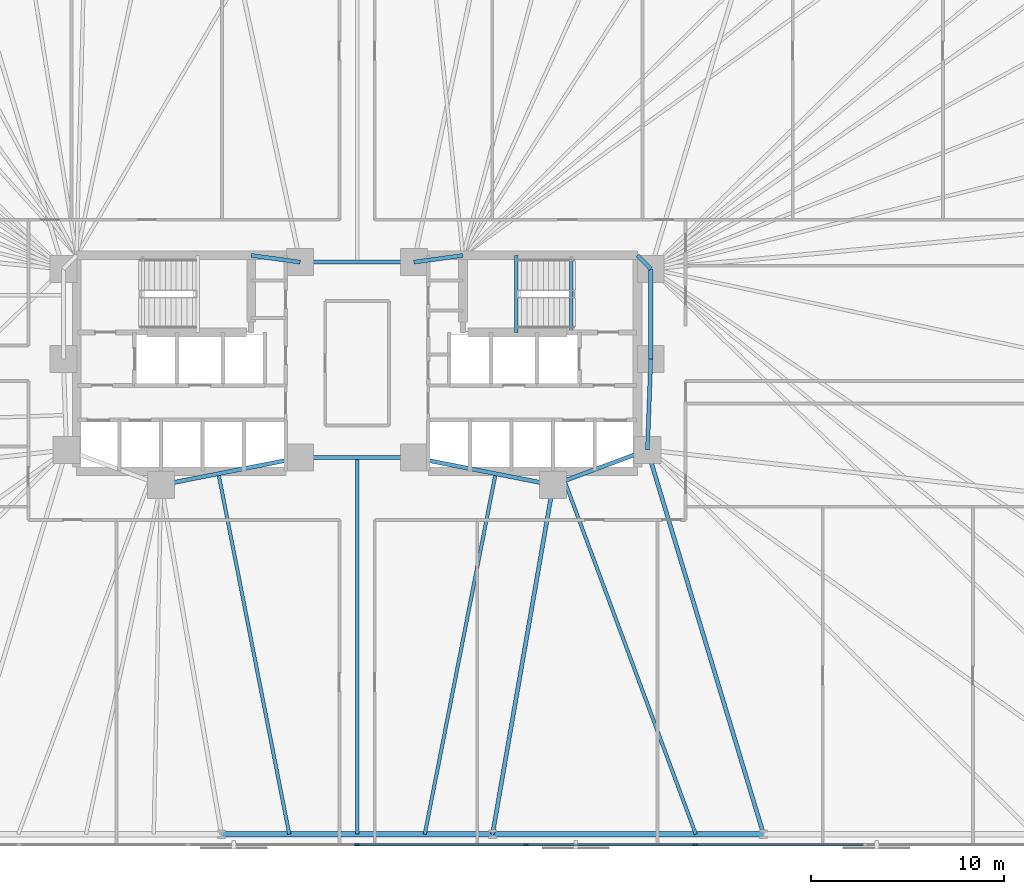
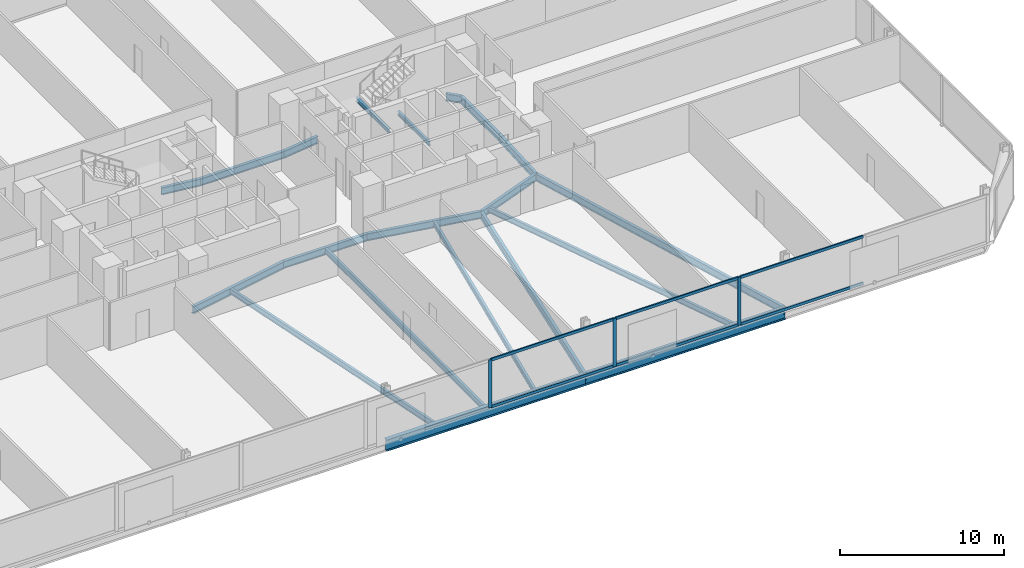
# One storey, part 7 of 17: 20 beams, 9 members, 1 element without a shape of its own.
"""IFC4 building model written with IfcOpenShell, lengths in metres."""

import ifcopenshell
import ifcopenshell.guid

model = None  # the IFC model being written
_history = None  # IfcOwnerHistory: only IFC2X3 demands one
_inside = {}  # id of a spatial element -> (the spatial element, [elements in it])
_under = {}  # id of a project, library or spatial element -> (it, [spatial elements below it])
_declared = {}  # id of a project -> (the project, [libraries it declares])
_typed = {}  # id of a type object -> (the type object, [elements of that type])
_made_of = {}  # id of a material, layer set ... -> (it, [elements and type objects made of it])


def new_model(schema):
    """Start an empty IFC model of exactly this schema.

    Asked for "IFC4X3", IfcOpenShell would pick the latest addendum, in which some entities
    have other attributes; the version numbers below select the first issue.
    IFC2X3 requires an IfcOwnerHistory on every rooted entity: one is made here for all.
    """
    global model, _history
    if schema == "IFC4X3":
        model = ifcopenshell.file(schema_version=(4, 3, 0, 0))
    else:
        model = ifcopenshell.file(schema=schema)
    _inside.clear()
    _under.clear()
    _declared.clear()
    _typed.clear()
    _made_of.clear()
    _history = None
    if model.schema == "IFC2X3":
        org = make("IfcOrganization", Name="unknown")
        user = make(
            "IfcPersonAndOrganization",
            ThePerson=make("IfcPerson", FamilyName="unknown"),
            TheOrganization=org,
        )
        app = make(
            "IfcApplication",
            ApplicationDeveloper=org,
            Version="unknown",
            ApplicationFullName="unknown",
            ApplicationIdentifier="unknown",
        )
        _history = make(
            "IfcOwnerHistory",
            OwningUser=user,
            OwningApplication=app,
            ChangeAction="ADDED",
            CreationDate=0,
        )
    return model


def make(cls, **values):
    """One entity of the class cls with the attributes given. An attribute that is None is left unset."""
    return model.create_entity(
        cls, **{name: value for name, value in values.items() if value is not None}
    )


def rooted(cls, **values):
    """An entity with a GlobalId (a new one), such as an element, a storey or a relation."""
    return make(cls, GlobalId=ifcopenshell.guid.new(), OwnerHistory=_history, **values)


def si_unit(unit_type, name, prefix=None):
    """IfcSIUnit, for example si_unit("LENGTHUNIT", "METRE", prefix="MILLI")."""
    return make("IfcSIUnit", UnitType=unit_type, Prefix=prefix, Name=name)


def assignment(units):
    """IfcUnitAssignment: the units of a project."""
    return None if units is None else make("IfcUnitAssignment", Units=units)


def point(xyz):
    """IfcCartesianPoint."""
    return None if xyz is None else make("IfcCartesianPoint", Coordinates=xyz)


def direction(xyz):
    """IfcDirection."""
    return None if xyz is None else make("IfcDirection", DirectionRatios=xyz)


def frame(location, z_axis=None, x_axis=None):
    """IfcAxis2Placement3D, a coordinate frame: its origin and axes. An axis left out is left unset."""
    return make(
        "IfcAxis2Placement3D",
        Location=point(location),
        Axis=direction(z_axis),
        RefDirection=direction(x_axis),
    )


def frame_2d(location, x_axis=None):
    """IfcAxis2Placement2D, a coordinate frame in the plane: its origin and x axis."""
    return make(
        "IfcAxis2Placement2D", Location=point(location), RefDirection=direction(x_axis)
    )


def origin():
    """The frame at (0, 0, 0) with its axes left unset."""
    return frame((0.0, 0.0, 0.0))


def origin_2d():
    """The frame at (0, 0) in the plane with its x axis left unset."""
    return frame_2d((0.0, 0.0))


def place(relative_to, where):
    """IfcLocalPlacement: puts the frame where relative to a parent placement (None: the world)."""
    return make(
        "IfcLocalPlacement", PlacementRelTo=relative_to, RelativePlacement=where
    )


def context(
    kind, dimensions, precision=None, world=None, true_north=None, identifier=None
):
    """IfcGeometricRepresentationContext, for example the 3D "Model" context."""
    return make(
        "IfcGeometricRepresentationContext",
        ContextIdentifier=identifier,
        ContextType=kind,
        CoordinateSpaceDimension=dimensions,
        Precision=precision,
        WorldCoordinateSystem=world,
        TrueNorth=true_north,
    )


def subcontext(parent, identifier, kind, view, scale=None):
    """IfcGeometricRepresentationSubContext, for example "Body" below "Model"."""
    return make(
        "IfcGeometricRepresentationSubContext",
        ContextIdentifier=identifier,
        ContextType=kind,
        ParentContext=parent,
        TargetScale=scale,
        TargetView=view,
    )


def project(units=None, contexts=None):
    """IfcProject with its units and contexts."""
    return rooted(
        "IfcProject",
        Name="project",
        RepresentationContexts=contexts,
        UnitsInContext=assignment(units),
    )


def spatial(cls, under=None, at=None, **own):
    """A site, building, storey or space (cls), placed at a placement, below another one or the project."""
    s = rooted(cls, ObjectPlacement=at, **own)
    if under is not None:
        _under.setdefault(under.id(), (under, []))[1].append(s)
    return s


def profile(cls, at=None, kind="AREA", **sizes):
    """A parametric profile (cls). Its sizes go by their IFC names, for example OverallWidth=200.0."""
    return make(cls, ProfileType=kind, Position=at, **sizes)


def rectangle(**sizes):
    """IfcRectangleProfileDef."""
    return profile("IfcRectangleProfileDef", **sizes)


def i_section(**sizes):
    """IfcIShapeProfileDef."""
    return profile("IfcIShapeProfileDef", **sizes)


def extrude(swept, where, along, depth):
    """IfcExtrudedAreaSolid: the profile swept, set in the frame where, extruded along a direction by depth."""
    return make(
        "IfcExtrudedAreaSolid",
        SweptArea=swept,
        Position=where,
        ExtrudedDirection=direction(along),
        Depth=depth,
    )


def shape(context_of_items, identifier, shape_type, items):
    """IfcShapeRepresentation: the items that make up one representation, for example the "Body"."""
    return make(
        "IfcShapeRepresentation",
        ContextOfItems=context_of_items,
        RepresentationIdentifier=identifier,
        RepresentationType=shape_type,
        Items=items,
    )


def material(Name=None, Category=None):
    """IfcMaterial."""
    return make("IfcMaterial", Name=Name, Category=Category)


def material_profile(
    of_material, cross_section, Name=None, Category=None, Priority=None
):
    """IfcMaterialProfile: a cross section and its material."""
    return make(
        "IfcMaterialProfile",
        Name=Name,
        Material=of_material,
        Profile=cross_section,
        Priority=Priority,
        Category=Category,
    )


def profile_set(profiles, Name=None, composite=None):
    """IfcMaterialProfileSet."""
    return make(
        "IfcMaterialProfileSet",
        Name=Name,
        MaterialProfiles=profiles,
        CompositeProfile=composite,
    )


def made_of(thing, what):
    """Note that an element or type object is made of a material, layer set ...; save() writes the relation."""
    if what is not None:
        _made_of.setdefault(what.id(), (what, []))[1].append(thing)
    return thing


def type_object(cls, material=None, **own):
    """A type object (cls), such as IfcWallType, which elements share."""
    return made_of(rooted(cls, **own), material)


def element(
    cls,
    number,
    at=None,
    inside=None,
    cuts=None,
    type_object=None,
    material=None,
    context=None,
    identifier="Body",
    shape_type=None,
    held_by="IfcProductDefinitionShape",
    body=None,
    shapes=None,
    **own,
):
    """One element of the class cls, such as IfcWall. Its Tag is "e" and its number.

    at: its placement. inside: the storey or other place that contains it. cuts: it is an
    opening in that element (IfcRelVoidsElement). A single representation is given by context,
    identifier, shape_type and body (its items); several are given by shapes. held_by: the class
    of the entity that holds the representations. save() writes the other relations.
    """
    e = rooted(cls, Tag="e%d" % number, ObjectPlacement=at, **own)
    if body is not None:
        shapes = [shape(context, identifier, shape_type, body)]
    if shapes is not None:
        e.Representation = make(held_by, Representations=shapes)
    if inside is not None:
        _inside.setdefault(inside.id(), (inside, []))[1].append(e)
    if cuts is not None:
        rooted(
            "IfcRelVoidsElement", RelatingBuildingElement=cuts, RelatedOpeningElement=e
        )
    if type_object is not None:
        _typed.setdefault(type_object.id(), (type_object, []))[1].append(e)
    return made_of(e, material)


def aggregate(whole, parts):
    """IfcRelAggregates: a whole, such as a stair, and the parts it consists of."""
    return rooted("IfcRelAggregates", RelatingObject=whole, RelatedObjects=parts)


def save(model, path):
    """Write the relations noted so far, then the file.

    IfcRelAggregates (storeys below a building ...), IfcRelContainedInSpatialStructure (elements
    in a storey), IfcRelDefinesByType, IfcRelAssociatesMaterial and IfcRelDeclares: one each for
    every whole, place, type object, material and project.
    """
    for whole, parts in _under.values():
        aggregate(whole, parts)
    for where, things in _inside.values():
        rooted(
            "IfcRelContainedInSpatialStructure",
            RelatedElements=things,
            RelatingStructure=where,
        )
    for kind, things in _typed.values():
        rooted("IfcRelDefinesByType", RelatedObjects=things, RelatingType=kind)
    for what, things in _made_of.values():
        rooted("IfcRelAssociatesMaterial", RelatedObjects=things, RelatingMaterial=what)
    for by, libraries in _declared.values():
        rooted("IfcRelDeclares", RelatingContext=by, RelatedDefinitions=libraries)
    model.write(path)


model = new_model("IFC4")

# Units and contexts
model_context = context("Model", 3, precision=1e-05, world=origin(), true_north=direction((0.0, 1.0)))
body_context = subcontext(model_context, "Body", "Model", "MODEL_VIEW")
ifc_project = project(units=[si_unit("LENGTHUNIT", "METRE"), si_unit("AREAUNIT", "SQUARE_METRE"), si_unit("VOLUMEUNIT", "CUBIC_METRE"), si_unit("PLANEANGLEUNIT", "RADIAN"), si_unit("MASSUNIT", "GRAM", prefix="KILO")], contexts=[model_context])

# Site, building, storey
site_placement = place(None, origin())
site = spatial("IfcSite", under=ifc_project, at=site_placement, CompositionType="ELEMENT")
building_placement = place(site_placement, origin())
building = spatial("IfcBuilding", under=site, at=building_placement, Name="Menara Jurai Vektor", CompositionType="ELEMENT")
storey_placement = place(building_placement, frame((0.0, 0.0, 63.60009765625)))
storey = spatial("IfcBuildingStorey", under=building, at=storey_placement, Name="L15", CompositionType="ELEMENT", Elevation=63.60009765625)

# Curtain wall, members
ifc_material_1 = material(Name="Anodised Pale Aluminium & Low-E Double Glazing", Category="aluminium")
curtain_wall_type = type_object("IfcCurtainWallType", Name="CW-BLK1", PredefinedType="NOTDEFINED", material=ifc_material_1)
curtain_wall_placement = place(storey_placement, origin())
curtain_wall = element("IfcCurtainWall", 1, at=curtain_wall_placement, inside=storey, type_object=curtain_wall_type, Name="Unitised Curtain Wall L15 F01", PredefinedType="NOTDEFINED")
ifc_material_2 = material(Name="Anodised Pale Aluminium Mullion", Category="aluminium")
ifc_material_profile_1 = material_profile(ifc_material_2, rectangle(XDim=0.094970703125, YDim=0.239990234375, at=origin_2d()), Name="ALU MUL 95x240")
ifc_profile_set_1 = profile_set([ifc_material_profile_1], Name="Anodised Pale Aluminium Mullion")
member_type_1 = type_object("IfcMemberType", Name="CW-BLK1-MUL", PredefinedType="MULLION", material=ifc_profile_set_1)
member_1_placement = place(storey_placement, frame((0.0, -25.0, 0.0), z_axis=(0.0, 0.0, 1.0), x_axis=(0.0, 1.0, 0.0)))
member_1 = element("IfcMember", 2, at=member_1_placement, type_object=member_type_1, Name="CW-01 mullion 5", PredefinedType="MULLION", context=body_context, shape_type="SweptSolid", body=[
    extrude(rectangle(XDim=0.094970703125, YDim=0.239990234375, at=origin_2d()), origin(), (0.0, 0.0, 1.0), 3.574951171875),
])
member_2_placement = place(storey_placement, frame((8.780029296875, -25.0, 0.0), z_axis=(0.0, 0.0, 1.0), x_axis=(0.0, 1.0, 0.0)))
member_2 = element("IfcMember", 3, at=member_2_placement, type_object=member_type_1, Name="CW-01 mullion 6", PredefinedType="MULLION", context=body_context, shape_type="SweptSolid", body=[
    extrude(rectangle(XDim=0.094970703125, YDim=0.239990234375, at=origin_2d()), origin(), (0.0, 0.0, 1.0), 3.574951171875),
])
member_3_placement = place(storey_placement, frame((17.56005859375, -25.0, 0.0), z_axis=(0.0, 0.0, 1.0), x_axis=(0.0, 1.0, 0.0)))
member_3 = element("IfcMember", 4, at=member_3_placement, type_object=member_type_1, Name="CW-01 mullion 7", PredefinedType="MULLION", context=body_context, shape_type="SweptSolid", body=[
    extrude(rectangle(XDim=0.094970703125, YDim=0.239990234375, at=origin_2d()), origin(), (0.0, 0.0, 1.0), 3.574951171875),
])
ifc_material_3 = material(Name="Anodised Pale Aluminium Transom", Category="aluminium")
ifc_material_profile_2 = material_profile(ifc_material_3, rectangle(XDim=0.094970703125, YDim=0.199951171875, at=origin_2d()), Name="ALU TRN 95x200")
ifc_profile_set_2 = profile_set([ifc_material_profile_2], Name="Anodised Pale Aluminium Transom")
member_type_2 = type_object("IfcMemberType", Name="CW-BLK1-TRN", PredefinedType="USERDEFINED", material=ifc_profile_set_2)
member_4_placement = place(storey_placement, frame((0.047607421875, -25.0, 0.04736328125), z_axis=(1.0, 0.0, 0.0), x_axis=(0.0, 1.0, 0.0)))
member_4 = element("IfcMember", 5, at=member_4_placement, type_object=member_type_2, Name="CW-01 transom 5.1", ObjectType="TRANSOM", PredefinedType="USERDEFINED", context=body_context, shape_type="SweptSolid", body=[
    extrude(rectangle(XDim=0.094970703125, YDim=0.199951171875, at=origin_2d()), origin(), (0.0, 0.0, 1.0), 8.684814453125),
])
member_5_placement = place(storey_placement, frame((0.047607421875, -25.0, 3.52734375), z_axis=(1.0, 0.0, 0.0), x_axis=(0.0, 1.0, 0.0)))
member_5 = element("IfcMember", 6, at=member_5_placement, type_object=member_type_2, Name="CW-01 transom 5.2", ObjectType="TRANSOM", PredefinedType="USERDEFINED", context=body_context, shape_type="SweptSolid", body=[
    extrude(rectangle(XDim=0.094970703125, YDim=0.199951171875, at=origin_2d()), origin(), (0.0, 0.0, 1.0), 8.684814453125),
])
member_6_placement = place(storey_placement, frame((8.827392578125, -25.0, 0.04736328125), z_axis=(1.0, 0.0, 0.0), x_axis=(0.0, 1.0, 0.0)))
member_6 = element("IfcMember", 7, at=member_6_placement, type_object=member_type_2, Name="CW-01 transom 6.1", ObjectType="TRANSOM", PredefinedType="USERDEFINED", context=body_context, shape_type="SweptSolid", body=[
    extrude(rectangle(XDim=0.094970703125, YDim=0.199951171875, at=origin_2d()), origin(), (0.0, 0.0, 1.0), 8.68505859375),
])
member_7_placement = place(storey_placement, frame((8.827392578125, -25.0, 3.52734375), z_axis=(1.0, 0.0, 0.0), x_axis=(0.0, 1.0, 0.0)))
member_7 = element("IfcMember", 8, at=member_7_placement, type_object=member_type_2, Name="CW-01 transom 6.2", ObjectType="TRANSOM", PredefinedType="USERDEFINED", context=body_context, shape_type="SweptSolid", body=[
    extrude(rectangle(XDim=0.094970703125, YDim=0.199951171875, at=origin_2d()), origin(), (0.0, 0.0, 1.0), 8.68505859375),
])
member_8_placement = place(storey_placement, frame((17.607421875, -25.0, 0.04736328125), z_axis=(1.0, 0.0, 0.0), x_axis=(0.0, 1.0, 0.0)))
member_8 = element("IfcMember", 9, at=member_8_placement, type_object=member_type_2, Name="CW-01 transom 7.1", ObjectType="TRANSOM", PredefinedType="USERDEFINED", context=body_context, shape_type="SweptSolid", body=[
    extrude(rectangle(XDim=0.094970703125, YDim=0.199951171875, at=origin_2d()), origin(), (0.0, 0.0, 1.0), 8.68505859375),
])
member_9_placement = place(storey_placement, frame((17.607421875, -25.0, 3.52734375), z_axis=(1.0, 0.0, 0.0), x_axis=(0.0, 1.0, 0.0)))
member_9 = element("IfcMember", 10, at=member_9_placement, type_object=member_type_2, Name="CW-01 transom 7.2", ObjectType="TRANSOM", PredefinedType="USERDEFINED", context=body_context, shape_type="SweptSolid", body=[
    extrude(rectangle(XDim=0.094970703125, YDim=0.199951171875, at=origin_2d()), origin(), (0.0, 0.0, 1.0), 8.68505859375),
])
aggregate(curtain_wall, [member_1, member_2, member_3, member_4, member_5, member_6, member_7, member_8, member_9])

# Beams
ifc_material_4 = material(Name="Steel S355", Category="steel")
ifc_material_profile_3 = material_profile(ifc_material_4, i_section(OverallWidth=0.2109375, OverallDepth=0.5390625, WebThickness=0.011962890625, FlangeThickness=0.01904296875, FilletRadius=0.012939453125, at=origin_2d()), Name="UKB 533x210x109")
ifc_profile_set_3 = profile_set([ifc_material_profile_3], Name="Steel S355")
beam_type_1 = type_object("IfcBeamType", Name="STR-BM-533", PredefinedType="BEAM", material=ifc_profile_set_3)
beam_1_placement = place(storey_placement, frame((-5.5, 5.60009765625, -0.49462890625), z_axis=(0.990706818608, -0.136014703483, 0.0), x_axis=(0.136014703483, 0.990706818608, 0.0)))
element("IfcBeam", 11, at=beam_1_placement, inside=storey, type_object=beam_type_1, Name="Core Ring Header Girder L15-CHW-N2", PredefinedType="BEAM", context=body_context, shape_type="SweptSolid", body=[
    extrude(i_section(OverallWidth=0.2109375, OverallDepth=0.5390625, WebThickness=0.011962890625, FlangeThickness=0.01904296875, FilletRadius=0.012939453125, at=origin_2d()), origin(), (0.0, 0.0, 1.0), 2.573974609375),
])
beam_2_placement = place(storey_placement, frame((-10.179931640625, -6.320068359375, -0.49462890625), z_axis=(0.981249044334, 0.192744164614, 0.0), x_axis=(-0.192744164614, 0.981249044334, 0.0)))
element("IfcBeam", 12, at=beam_2_placement, inside=storey, type_object=beam_type_1, Name="Core Ring Header Girder L15-CHW-S2", PredefinedType="BEAM", context=body_context, shape_type="SweptSolid", body=[
    extrude(i_section(OverallWidth=0.2109375, OverallDepth=0.5390625, WebThickness=0.011962890625, FlangeThickness=0.01904296875, FilletRadius=0.012939453125, at=origin_2d()), origin(), (0.0, 0.0, 1.0), 7.3681640625),
])
beam_3_placement = place(storey_placement, frame((2.949951171875, 5.25, -0.49462890625), z_axis=(0.990706818608, 0.136014703483, 0.0), x_axis=(-0.136014703483, 0.990706818608, 0.0)))
element("IfcBeam", 13, at=beam_3_placement, inside=storey, type_object=beam_type_1, Name="Core Ring Header Girder L15-CHE-N1", PredefinedType="BEAM", context=body_context, shape_type="SweptSolid", body=[
    extrude(i_section(OverallWidth=0.2109375, OverallDepth=0.5390625, WebThickness=0.011962890625, FlangeThickness=0.01904296875, FilletRadius=0.012939453125, at=origin_2d()), origin(), (0.0, 0.0, 1.0), 2.573974609375),
])
beam_4_placement = place(storey_placement, frame((14.56005859375, 5.60009765625, -0.49462890625), z_axis=(0.701871936926, -0.712303154672, 0.0), x_axis=(0.712303154672, 0.701871936926, 0.0)))
element("IfcBeam", 14, at=beam_4_placement, inside=storey, type_object=beam_type_1, Name="Core Ring Header Girder L15-CHE-N2", PredefinedType="BEAM", context=body_context, shape_type="SweptSolid", body=[
    extrude(i_section(OverallWidth=0.2109375, OverallDepth=0.5390625, WebThickness=0.011962890625, FlangeThickness=0.01904296875, FilletRadius=0.012939453125, at=origin_2d()), origin(), (0.0, 0.0, 1.0), 0.98291015625),
])
beam_5_placement = place(storey_placement, frame((15.25, 0.219970703125, -0.49462890625), z_axis=(0.0, 1.0, 0.0), x_axis=(-1.0, 0.0, 0.0)))
element("IfcBeam", 15, at=beam_5_placement, inside=storey, type_object=beam_type_1, Name="Core Ring Header Girder L15-CHE-E1", PredefinedType="BEAM", context=body_context, shape_type="SweptSolid", body=[
    extrude(i_section(OverallWidth=0.2109375, OverallDepth=0.5390625, WebThickness=0.011962890625, FlangeThickness=0.01904296875, FilletRadius=0.012939453125, at=origin_2d()), origin(), (0.0, 0.0, 1.0), 4.679931640625),
])
beam_6_placement = place(storey_placement, frame((15.080078125, -4.5, -0.49462890625), z_axis=(0.035977314146, 0.999352606874, 0.0), x_axis=(-0.999352606874, 0.035977314146, 0.0)))
element("IfcBeam", 16, at=beam_6_placement, inside=storey, type_object=beam_type_1, Name="Core Ring Header Girder L15-CHE-E2", PredefinedType="BEAM", context=body_context, shape_type="SweptSolid", body=[
    extrude(i_section(OverallWidth=0.2109375, OverallDepth=0.5390625, WebThickness=0.011962890625, FlangeThickness=0.01904296875, FilletRadius=0.012939453125, at=origin_2d()), origin(), (0.0, 0.0, 1.0), 4.72314453125),
])
beam_7_placement = place(storey_placement, frame((10.179931640625, -6.320068359375, -0.49462890625), z_axis=(0.937424400887, 0.348188874925, 0.0), x_axis=(-0.348188874925, 0.937424400887, 0.0)))
element("IfcBeam", 17, at=beam_7_placement, inside=storey, type_object=beam_type_1, Name="Core Ring Header Girder L15-CHE-S1", PredefinedType="BEAM", context=body_context, shape_type="SweptSolid", body=[
    extrude(i_section(OverallWidth=0.2109375, OverallDepth=0.5390625, WebThickness=0.011962890625, FlangeThickness=0.01904296875, FilletRadius=0.012939453125, at=origin_2d()), origin(), (0.0, 0.0, 1.0), 5.227294921875),
])
beam_8_placement = place(storey_placement, frame((2.949951171875, -4.89990234375, -0.49462890625), z_axis=(0.981249044334, -0.192744164614, 0.0), x_axis=(0.192744164614, 0.981249044334, 0.0)))
element("IfcBeam", 18, at=beam_8_placement, inside=storey, type_object=beam_type_1, Name="Core Ring Header Girder L15-CHE-S2", PredefinedType="BEAM", context=body_context, shape_type="SweptSolid", body=[
    extrude(i_section(OverallWidth=0.2109375, OverallDepth=0.5390625, WebThickness=0.011962890625, FlangeThickness=0.01904296875, FilletRadius=0.012939453125, at=origin_2d()), origin(), (0.0, 0.0, 1.0), 7.3681640625),
])
for number, where, z_axis, x_axis, name in (
    (19, (-2.949951171875, -4.89990234375, -0.49462890625), (1.0, 0.0, 0.0), (0.0, 1.0, 0.0), "Core Ring Header Girder L15-CC-1"),
    (20, (-2.949951171875, 5.25, -0.49462890625), (1.0, 0.0, 0.0), (0.0, 1.0, 0.0), "Core Ring Header Girder L15-CC-2"),
):
    element("IfcBeam", number, at=place(storey_placement, frame(where, z_axis=z_axis, x_axis=x_axis)), inside=storey, type_object=beam_type_1, Name=name, PredefinedType="BEAM", context=body_context, shape_type="SweptSolid", body=[
        extrude(i_section(OverallWidth=0.2109375, OverallDepth=0.5390625, WebThickness=0.011962890625, FlangeThickness=0.01904296875, FilletRadius=0.012939453125, at=origin_2d()), origin(), (0.0, 0.0, 1.0), 5.89990234375),
    ])
beam_9_placement = place(storey_placement, frame((7.03564453125, -24.449951171875, -0.49462890625), z_axis=(0.170880325642, 0.985291791455, 0.0), x_axis=(-0.985291791455, 0.170880325642, 0.0)))
element("IfcBeam", 21, at=beam_9_placement, inside=storey, type_object=beam_type_1, Name="Radial Floor Girder L15-S4", PredefinedType="BEAM", context=body_context, shape_type="SweptSolid", body=[
    extrude(i_section(OverallWidth=0.2109375, OverallDepth=0.5390625, WebThickness=0.011962890625, FlangeThickness=0.01904296875, FilletRadius=0.012939453125, at=origin_2d()), origin(), (0.0, 0.0, 1.0), 18.400634765625),
])
beam_10_placement = place(storey_placement, frame((21.106689453125, -24.449951171875, -0.49462890625), z_axis=(-0.289179812203, 0.957274796604, 0.0), x_axis=(-0.957274796604, -0.289179812203, 0.0)))
element("IfcBeam", 22, at=beam_10_placement, inside=storey, type_object=beam_type_1, Name="Radial Floor Girder L15-S5", PredefinedType="BEAM", context=body_context, shape_type="SweptSolid", body=[
    extrude(i_section(OverallWidth=0.2109375, OverallDepth=0.5390625, WebThickness=0.011962890625, FlangeThickness=0.01904296875, FilletRadius=0.012939453125, at=origin_2d()), origin(), (0.0, 0.0, 1.0), 20.84033203125),
])
ifc_material_profile_4 = material_profile(ifc_material_4, i_section(OverallWidth=0.178955078125, OverallDepth=0.408935546875, WebThickness=0.009033203125, FlangeThickness=0.013916015625, FilletRadius=0.010009765625, at=origin_2d()), Name="UKB 406x178x67")
ifc_profile_set_4 = profile_set([ifc_material_profile_4], Name="Steel S355")
beam_type_2 = type_object("IfcBeamType", Name="STR-JS-406", PredefinedType="JOIST", material=ifc_profile_set_4)
beam_11_placement = place(storey_placement, frame((-3.517822265625, -24.449951171875, -0.4296875), z_axis=(-0.192723076671, 0.981253186348, 0.0), x_axis=(-0.981253186348, -0.192723076671, 0.0)))
element("IfcBeam", 23, at=beam_11_placement, inside=storey, type_object=beam_type_2, Name="Radial Secondary Floor Joist L15-JS04", PredefinedType="JOIST", context=body_context, shape_type="SweptSolid", body=[
    extrude(i_section(OverallWidth=0.178955078125, OverallDepth=0.408935546875, WebThickness=0.009033203125, FlangeThickness=0.013916015625, FilletRadius=0.010009765625, at=origin_2d()), origin(), (0.0, 0.0, 1.0), 19.07421875),
])
beam_12_placement = place(storey_placement, frame((0.0, -24.449951171875, -0.4296875), z_axis=(0.0, 1.0, 0.0), x_axis=(-1.0, 0.0, 0.0)))
element("IfcBeam", 24, at=beam_12_placement, inside=storey, type_object=beam_type_2, Name="Radial Secondary Floor Joist L15-JS05", PredefinedType="JOIST", context=body_context, shape_type="SweptSolid", body=[
    extrude(i_section(OverallWidth=0.178955078125, OverallDepth=0.408935546875, WebThickness=0.009033203125, FlangeThickness=0.013916015625, FilletRadius=0.010009765625, at=origin_2d()), origin(), (0.0, 0.0, 1.0), 19.550048828125),
])
beam_13_placement = place(storey_placement, frame((3.517822265625, -24.449951171875, -0.4296875), z_axis=(0.192723076671, 0.981253186348, 0.0), x_axis=(-0.981253186348, 0.192723076671, 0.0)))
element("IfcBeam", 25, at=beam_13_placement, inside=storey, type_object=beam_type_2, Name="Radial Secondary Floor Joist L15-JS06", PredefinedType="JOIST", context=body_context, shape_type="SweptSolid", body=[
    extrude(i_section(OverallWidth=0.178955078125, OverallDepth=0.408935546875, WebThickness=0.009033203125, FlangeThickness=0.013916015625, FilletRadius=0.010009765625, at=origin_2d()), origin(), (0.0, 0.0, 1.0), 19.07421875),
])
beam_14_placement = place(storey_placement, frame((17.5888671875, -24.449951171875, -0.4296875), z_axis=(-0.348179014223, 0.937428063403, 0.0), x_axis=(-0.937428063403, -0.348179014223, 0.0)))
element("IfcBeam", 26, at=beam_14_placement, inside=storey, type_object=beam_type_2, Name="Radial Secondary Floor Joist L15-JS07", PredefinedType="JOIST", context=body_context, shape_type="SweptSolid", body=[
    extrude(i_section(OverallWidth=0.178955078125, OverallDepth=0.408935546875, WebThickness=0.009033203125, FlangeThickness=0.013916015625, FilletRadius=0.010009765625, at=origin_2d()), origin(), (0.0, 0.0, 1.0), 19.5751953125),
])
ifc_material_profile_5 = material_profile(ifc_material_4, i_section(OverallWidth=0.1650390625, OverallDepth=0.302978515625, WebThickness=0.006103515625, FlangeThickness=0.010009765625, FilletRadius=0.009033203125, at=origin_2d()), Name="UKB 305x165x40")
ifc_profile_set_5 = profile_set([ifc_material_profile_5], Name="Steel S355")
beam_type_3 = type_object("IfcBeamType", Name="STR-LN-305", PredefinedType="LINTEL", material=ifc_profile_set_5)
beam_15_placement = place(storey_placement, frame((11.1201171875, 1.60009765625, -0.376708984375), z_axis=(0.0, 1.0, 0.0), x_axis=(-1.0, 0.0, 0.0)))
element("IfcBeam", 27, at=beam_15_placement, inside=storey, type_object=beam_type_3, Name="Stair Well Floor Trimmer ST2 L15", PredefinedType="LINTEL", context=body_context, shape_type="SweptSolid", body=[
    extrude(i_section(OverallWidth=0.1650390625, OverallDepth=0.302978515625, WebThickness=0.006103515625, FlangeThickness=0.010009765625, FilletRadius=0.009033203125, at=origin_2d()), origin(), (0.0, 0.0, 1.0), 3.81982421875),
])
beam_16_placement = place(storey_placement, frame((8.27001953125, 1.60009765625, 1.54833984375), z_axis=(0.0, 1.0, 0.0), x_axis=(-1.0, 0.0, 0.0)))
element("IfcBeam", 28, at=beam_16_placement, inside=storey, type_object=beam_type_3, Name="Stair Half-Landing Nosing Trimmer ST2-1 L15", PredefinedType="LINTEL", context=body_context, shape_type="SweptSolid", body=[
    extrude(i_section(OverallWidth=0.1650390625, OverallDepth=0.302978515625, WebThickness=0.006103515625, FlangeThickness=0.010009765625, FilletRadius=0.009033203125, at=origin_2d()), origin(), (0.0, 0.0, 1.0), 4.0),
])
ifc_material_5 = material(Name="Steel S460", Category="steel")
ifc_material_profile_6 = material_profile(ifc_material_5, i_section(OverallWidth=0.2939453125, OverallDepth=0.85107421875, WebThickness=0.01611328125, FlangeThickness=0.027099609375, FilletRadius=0.01806640625, at=origin_2d()), Name="UKB 838x292x226")
ifc_profile_set_6 = profile_set([ifc_material_profile_6], Name="Steel S460")
beam_type_4 = type_object("IfcBeamType", Name="STR-SP-838", PredefinedType="SPANDREL", material=ifc_profile_set_6)
beam_17_placement = place(storey_placement, frame((-7.03564453125, -24.449951171875, -0.650634765625), z_axis=(1.0, 0.0, 0.0), x_axis=(0.0, 1.0, 0.0)))
element("IfcBeam", 29, at=beam_17_placement, inside=storey, type_object=beam_type_4, Name="Exoskeleton Spandrel Beam L15-03", PredefinedType="SPANDREL", context=body_context, shape_type="SweptSolid", body=[
    extrude(i_section(OverallWidth=0.2939453125, OverallDepth=0.85107421875, WebThickness=0.01611328125, FlangeThickness=0.027099609375, FilletRadius=0.01806640625, at=origin_2d()), origin(), (0.0, 0.0, 1.0), 14.0712890625),
])
beam_18_placement = place(storey_placement, frame((7.03564453125, -24.449951171875, -0.650634765625), z_axis=(1.0, 0.0, 0.0), x_axis=(0.0, 1.0, 0.0)))
element("IfcBeam", 30, at=beam_18_placement, inside=storey, type_object=beam_type_4, Name="Exoskeleton Spandrel Beam L15-04", PredefinedType="SPANDREL", context=body_context, shape_type="SweptSolid", body=[
    extrude(i_section(OverallWidth=0.2939453125, OverallDepth=0.85107421875, WebThickness=0.01611328125, FlangeThickness=0.027099609375, FilletRadius=0.01806640625, at=origin_2d()), origin(), (0.0, 0.0, 1.0), 14.071044921875),
])

save(model, "model.ifc")
